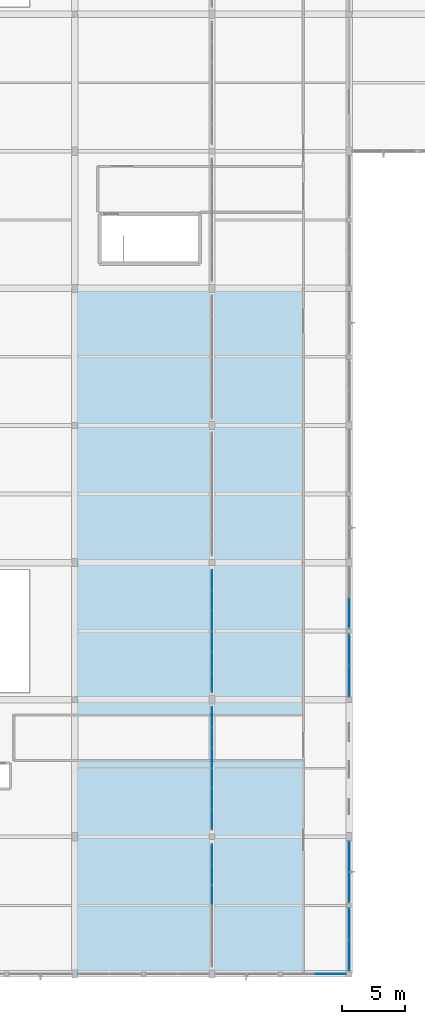
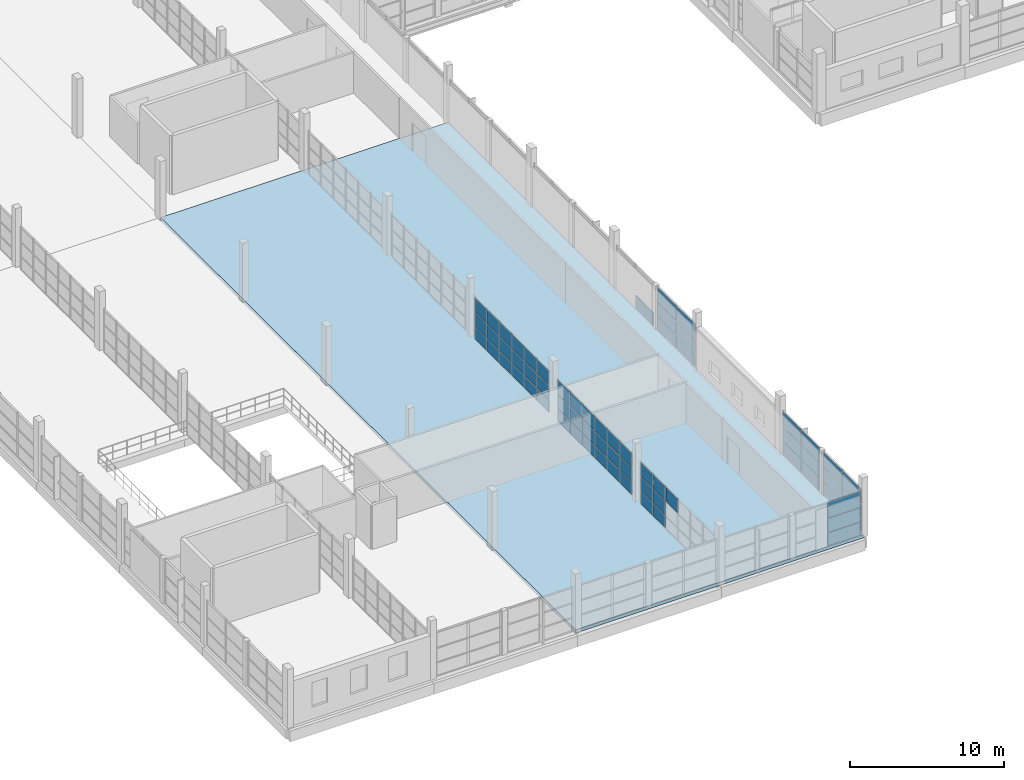
# One storey, part 82 of 142: 65 plates, 1 slab, 8 elements without a shape of their own.
"""IFC4 building model written with IfcOpenShell, lengths in metres."""

from ifc_helpers import new_model, si_unit, direction, frame, origin, origin_2d, place, context, subcontext, project, spatial, polyline, rectangle, outline, extrude, material, layer, layer_set, type_object, element, aggregate, save


model = new_model("IFC4")

# Units and contexts
model_context = context("Model", 3, precision=1e-05, world=origin(), true_north=direction((0.0, 1.0)))
body_context = subcontext(model_context, "Body", "Model", "MODEL_VIEW")
ifc_project = project(units=[si_unit("LENGTHUNIT", "METRE"), si_unit("AREAUNIT", "SQUARE_METRE"), si_unit("VOLUMEUNIT", "CUBIC_METRE"), si_unit("PLANEANGLEUNIT", "RADIAN"), si_unit("MASSUNIT", "GRAM", prefix="KILO")], contexts=[model_context])

# Site, building, storey
site_placement = place(None, origin())
site = spatial("IfcSite", under=ifc_project, at=site_placement, CompositionType="ELEMENT")
building_placement = place(site_placement, origin())
building = spatial("IfcBuilding", under=site, at=building_placement, Name="Zwinboog Wholesale Market", CompositionType="ELEMENT")
storey_placement = place(building_placement, frame((0.0, 0.0, 5.39990234375)))
storey = spatial("IfcBuildingStorey", under=building, at=storey_placement, Name="L01", CompositionType="ELEMENT", Elevation=5.39990234375)

# Slab
ifc_material_1 = material(Name="Precast concrete C45/55", Category="concrete")
ifc_layer_1 = layer(ifc_material_1, 0.2548828125)
ifc_layer_set_1 = layer_set([ifc_layer_1], Name="Precast concrete C45/55")
slab_type = type_object("IfcSlabType", Name="SLT-FL-255", PredefinedType="FLOOR", material=ifc_layer_set_1)
slab_placement = place(storey_placement, frame((0.0, 0.0, -0.2548828125)))
element("IfcSlab", 1, at=slab_placement, inside=storey, type_object=slab_type, Name="SF-255 (SLB-L01-031)", PredefinedType="FLOOR", context=body_context, shape_type="SweptSolid", body=[
    extrude(outline(polyline([(21.60009765625, 0.0), (43.199951171875, 0.0), (43.199951171875, 54.0), (21.60009765625, 54.0), (21.60009765625, 0.0)])), origin(), (0.0, 0.0, 1.0), 0.2548828125),
])

# Curtain wall, plates
ifc_material_2 = material(Name="Aluminium thermally broken curtain wall", Category="aluminium")
curtain_wall_type_1 = type_object("IfcCurtainWallType", Name="CWT-GAL-16", PredefinedType="USERDEFINED", material=ifc_material_2)
curtain_wall_1_placement = place(storey_placement, origin())
curtain_wall_1 = element("IfcCurtainWall", 2, at=curtain_wall_1_placement, inside=storey, type_object=curtain_wall_type_1, Name="CW-04 (CW-L01-070)", ObjectType="UNITIZED_CURTAIN_WALL", PredefinedType="USERDEFINED")
ifc_material_3 = material(Name="Double low-e insulated glazing", Category="glass")
ifc_layer_2 = layer(ifc_material_3, 0.031982421875)
ifc_layer_set_2 = layer_set([ifc_layer_2], Name="Double low-e insulated glazing")
plate_type_1 = type_object("IfcPlateType", Name="CWP-IGU-32", PredefinedType="CURTAIN_PANEL", material=ifc_layer_set_2)
plate_1_placement = place(storey_placement, frame((41.719970703125, 0.0, 0.06005859375), z_axis=(0.0, 0.0, 1.0), x_axis=(1.0, 0.0, 0.0)))
plate_1 = element("IfcPlate", 3, at=plate_1_placement, type_object=plate_type_1, Name="CW-04 panel 2.1", PredefinedType="CURTAIN_PANEL", context=body_context, shape_type="SweptSolid", body=[
    extrude(rectangle(XDim=2.39990234375, YDim=0.031982421875, at=origin_2d()), origin(), (0.0, 0.0, 1.0), 1.010009765625),
])
plate_2_placement = place(storey_placement, frame((41.719970703125, 0.0, 1.1298828125), z_axis=(0.0, 0.0, 1.0), x_axis=(1.0, 0.0, 0.0)))
plate_2 = element("IfcPlate", 4, at=plate_2_placement, type_object=plate_type_1, Name="CW-04 panel 2.2", PredefinedType="CURTAIN_PANEL", context=body_context, shape_type="SweptSolid", body=[
    extrude(rectangle(XDim=2.39990234375, YDim=0.031982421875, at=origin_2d()), origin(), (0.0, 0.0, 1.0), 1.090087890625),
])
plate_3_placement = place(storey_placement, frame((41.719970703125, 0.0, 2.280029296875), z_axis=(0.0, 0.0, 1.0), x_axis=(1.0, 0.0, 0.0)))
plate_3 = element("IfcPlate", 5, at=plate_3_placement, type_object=plate_type_1, Name="CW-04 panel 2.3", PredefinedType="CURTAIN_PANEL", context=body_context, shape_type="SweptSolid", body=[
    extrude(rectangle(XDim=2.39990234375, YDim=0.031982421875, at=origin_2d()), origin(), (0.0, 0.0, 1.0), 1.18994140625),
])
aggregate(curtain_wall_1, [plate_1, plate_2, plate_3])

curtain_wall_type_2 = type_object("IfcCurtainWallType", Name="CWT-CAFE-22", PredefinedType="USERDEFINED", material=ifc_material_2)
curtain_wall_2_placement = place(storey_placement, origin())
curtain_wall_2 = element("IfcCurtainWall", 6, at=curtain_wall_2_placement, inside=storey, type_object=curtain_wall_type_2, Name="CW-05 (CW-L01-071)", ObjectType="STOREFRONT_GLAZING", PredefinedType="USERDEFINED")
plate_4_placement = place(storey_placement, frame((43.199951171875, 1.481201171875, 0.065185546875), z_axis=(0.0, 0.0, 1.0), x_axis=(0.0, 1.0, 0.0)))
plate_4 = element("IfcPlate", 7, at=plate_4_placement, type_object=plate_type_1, Name="CW-05 panel 1.1", PredefinedType="CURTAIN_PANEL", context=body_context, shape_type="SweptSolid", body=[
    extrude(rectangle(XDim=2.392578125, YDim=0.031982421875, at=origin_2d()), origin(), (0.0, 0.0, 1.0), 1.00244140625),
])
plate_5_placement = place(storey_placement, frame((43.199951171875, 1.481201171875, 1.132568359375), z_axis=(0.0, 0.0, 1.0), x_axis=(0.0, 1.0, 0.0)))
plate_5 = element("IfcPlate", 8, at=plate_5_placement, type_object=plate_type_1, Name="CW-05 panel 1.2", PredefinedType="CURTAIN_PANEL", context=body_context, shape_type="SweptSolid", body=[
    extrude(rectangle(XDim=2.392578125, YDim=0.031982421875, at=origin_2d()), origin(), (0.0, 0.0, 1.0), 1.0849609375),
])
plate_6_placement = place(storey_placement, frame((43.199951171875, 1.481201171875, 2.282470703125), z_axis=(0.0, 0.0, 1.0), x_axis=(0.0, 1.0, 0.0)))
plate_6 = element("IfcPlate", 9, at=plate_6_placement, type_object=plate_type_1, Name="CW-05 panel 1.3", PredefinedType="CURTAIN_PANEL", context=body_context, shape_type="SweptSolid", body=[
    extrude(rectangle(XDim=2.392578125, YDim=0.031982421875, at=origin_2d()), origin(), (0.0, 0.0, 1.0), 1.1826171875),
])
plate_7_placement = place(storey_placement, frame((43.199951171875, 3.938720703125, 0.065185546875), z_axis=(0.0, 0.0, 1.0), x_axis=(0.0, 1.0, 0.0)))
plate_7 = element("IfcPlate", 10, at=plate_7_placement, type_object=plate_type_1, Name="CW-05 panel 2.1", PredefinedType="CURTAIN_PANEL", context=body_context, shape_type="SweptSolid", body=[
    extrude(rectangle(XDim=2.392578125, YDim=0.031982421875, at=origin_2d()), origin(), (0.0, 0.0, 1.0), 1.00244140625),
])
plate_8_placement = place(storey_placement, frame((43.199951171875, 3.938720703125, 1.132568359375), z_axis=(0.0, 0.0, 1.0), x_axis=(0.0, 1.0, 0.0)))
plate_8 = element("IfcPlate", 11, at=plate_8_placement, type_object=plate_type_1, Name="CW-05 panel 2.2", PredefinedType="CURTAIN_PANEL", context=body_context, shape_type="SweptSolid", body=[
    extrude(rectangle(XDim=2.392578125, YDim=0.031982421875, at=origin_2d()), origin(), (0.0, 0.0, 1.0), 1.0849609375),
])
plate_9_placement = place(storey_placement, frame((43.199951171875, 3.938720703125, 2.282470703125), z_axis=(0.0, 0.0, 1.0), x_axis=(0.0, 1.0, 0.0)))
plate_9 = element("IfcPlate", 12, at=plate_9_placement, type_object=plate_type_1, Name="CW-05 panel 2.3", PredefinedType="CURTAIN_PANEL", context=body_context, shape_type="SweptSolid", body=[
    extrude(rectangle(XDim=2.392578125, YDim=0.031982421875, at=origin_2d()), origin(), (0.0, 0.0, 1.0), 1.1826171875),
])
aggregate(curtain_wall_2, [plate_4, plate_5, plate_6, plate_7, plate_8, plate_9])

curtain_wall_type_3 = type_object("IfcCurtainWallType", Name="CWT-OFF-15", PredefinedType="USERDEFINED", material=ifc_material_2)
curtain_wall_3_placement = place(storey_placement, origin())
curtain_wall_3 = element("IfcCurtainWall", 13, at=curtain_wall_3_placement, inside=storey, type_object=curtain_wall_type_3, Name="CW-06 (CW-L01-072)", ObjectType="UNITIZED_CURTAIN_WALL", PredefinedType="USERDEFINED")
plate_10_placement = place(storey_placement, frame((43.199951171875, 6.8349609375, 0.06005859375), z_axis=(0.0, 0.0, 1.0), x_axis=(0.0, 1.0, 0.0)))
plate_10 = element("IfcPlate", 14, at=plate_10_placement, type_object=plate_type_1, Name="CW-06 panel 1.1", PredefinedType="CURTAIN_PANEL", context=body_context, shape_type="SweptSolid", body=[
    extrude(rectangle(XDim=2.35009765625, YDim=0.031982421875, at=origin_2d()), origin(), (0.0, 0.0, 1.0), 1.010009765625),
])
plate_11_placement = place(storey_placement, frame((43.199951171875, 6.8349609375, 1.1298828125), z_axis=(0.0, 0.0, 1.0), x_axis=(0.0, 1.0, 0.0)))
plate_11 = element("IfcPlate", 15, at=plate_11_placement, type_object=plate_type_1, Name="CW-06 panel 1.2", PredefinedType="CURTAIN_PANEL", context=body_context, shape_type="SweptSolid", body=[
    extrude(rectangle(XDim=2.35009765625, YDim=0.031982421875, at=origin_2d()), origin(), (0.0, 0.0, 1.0), 1.090087890625),
])
plate_12_placement = place(storey_placement, frame((43.199951171875, 6.8349609375, 2.280029296875), z_axis=(0.0, 0.0, 1.0), x_axis=(0.0, 1.0, 0.0)))
plate_12 = element("IfcPlate", 16, at=plate_12_placement, type_object=plate_type_1, Name="CW-06 panel 1.3", PredefinedType="CURTAIN_PANEL", context=body_context, shape_type="SweptSolid", body=[
    extrude(rectangle(XDim=2.35009765625, YDim=0.031982421875, at=origin_2d()), origin(), (0.0, 0.0, 1.0), 1.18994140625),
])
plate_13_placement = place(storey_placement, frame((43.199951171875, 9.2451171875, 0.06005859375), z_axis=(0.0, 0.0, 1.0), x_axis=(0.0, 1.0, 0.0)))
plate_13 = element("IfcPlate", 17, at=plate_13_placement, type_object=plate_type_1, Name="CW-06 panel 2.1", PredefinedType="CURTAIN_PANEL", context=body_context, shape_type="SweptSolid", body=[
    extrude(rectangle(XDim=2.35009765625, YDim=0.031982421875, at=origin_2d()), origin(), (0.0, 0.0, 1.0), 1.010009765625),
])
plate_14_placement = place(storey_placement, frame((43.199951171875, 9.2451171875, 1.1298828125), z_axis=(0.0, 0.0, 1.0), x_axis=(0.0, 1.0, 0.0)))
plate_14 = element("IfcPlate", 18, at=plate_14_placement, type_object=plate_type_1, Name="CW-06 panel 2.2", PredefinedType="CURTAIN_PANEL", context=body_context, shape_type="SweptSolid", body=[
    extrude(rectangle(XDim=2.35009765625, YDim=0.031982421875, at=origin_2d()), origin(), (0.0, 0.0, 1.0), 1.090087890625),
])
plate_15_placement = place(storey_placement, frame((43.199951171875, 9.2451171875, 2.280029296875), z_axis=(0.0, 0.0, 1.0), x_axis=(0.0, 1.0, 0.0)))
plate_15 = element("IfcPlate", 19, at=plate_15_placement, type_object=plate_type_1, Name="CW-06 panel 2.3", PredefinedType="CURTAIN_PANEL", context=body_context, shape_type="SweptSolid", body=[
    extrude(rectangle(XDim=2.35009765625, YDim=0.031982421875, at=origin_2d()), origin(), (0.0, 0.0, 1.0), 1.18994140625),
])
aggregate(curtain_wall_3, [plate_10, plate_11, plate_12, plate_13, plate_14, plate_15])

curtain_wall_type_4 = type_object("IfcCurtainWallType", Name="CWT-STALL-18", PredefinedType="USERDEFINED", material=ifc_material_2)
curtain_wall_4_placement = place(storey_placement, origin())
curtain_wall_4 = element("IfcCurtainWall", 20, at=curtain_wall_4_placement, inside=storey, type_object=curtain_wall_type_4, Name="CW-01 (CW-L01-073)", ObjectType="STOREFRONT_GLAZING", PredefinedType="USERDEFINED")
plate_16_placement = place(storey_placement, frame((43.199951171875, 23.081298828125, 0.065185546875), z_axis=(0.0, 0.0, 1.0), x_axis=(0.0, 1.0, 0.0)))
plate_16 = element("IfcPlate", 21, at=plate_16_placement, type_object=plate_type_1, Name="CW-01 panel 1.1", PredefinedType="CURTAIN_PANEL", context=body_context, shape_type="SweptSolid", body=[
    extrude(rectangle(XDim=2.392578125, YDim=0.031982421875, at=origin_2d()), origin(), (0.0, 0.0, 1.0), 1.00244140625),
])
plate_17_placement = place(storey_placement, frame((43.199951171875, 23.081298828125, 1.132568359375), z_axis=(0.0, 0.0, 1.0), x_axis=(0.0, 1.0, 0.0)))
plate_17 = element("IfcPlate", 22, at=plate_17_placement, type_object=plate_type_1, Name="CW-01 panel 1.2", PredefinedType="CURTAIN_PANEL", context=body_context, shape_type="SweptSolid", body=[
    extrude(rectangle(XDim=2.392578125, YDim=0.031982421875, at=origin_2d()), origin(), (0.0, 0.0, 1.0), 1.0849609375),
])
plate_18_placement = place(storey_placement, frame((43.199951171875, 23.081298828125, 2.282470703125), z_axis=(0.0, 0.0, 1.0), x_axis=(0.0, 1.0, 0.0)))
plate_18 = element("IfcPlate", 23, at=plate_18_placement, type_object=plate_type_1, Name="CW-01 panel 1.3", PredefinedType="CURTAIN_PANEL", context=body_context, shape_type="SweptSolid", body=[
    extrude(rectangle(XDim=2.392578125, YDim=0.031982421875, at=origin_2d()), origin(), (0.0, 0.0, 1.0), 1.1826171875),
])
plate_19_placement = place(storey_placement, frame((43.199951171875, 25.538818359375, 0.065185546875), z_axis=(0.0, 0.0, 1.0), x_axis=(0.0, 1.0, 0.0)))
plate_19 = element("IfcPlate", 24, at=plate_19_placement, type_object=plate_type_1, Name="CW-01 panel 2.1", PredefinedType="CURTAIN_PANEL", context=body_context, shape_type="SweptSolid", body=[
    extrude(rectangle(XDim=2.392578125, YDim=0.031982421875, at=origin_2d()), origin(), (0.0, 0.0, 1.0), 1.00244140625),
])
plate_20_placement = place(storey_placement, frame((43.199951171875, 25.538818359375, 1.132568359375), z_axis=(0.0, 0.0, 1.0), x_axis=(0.0, 1.0, 0.0)))
plate_20 = element("IfcPlate", 25, at=plate_20_placement, type_object=plate_type_1, Name="CW-01 panel 2.2", PredefinedType="CURTAIN_PANEL", context=body_context, shape_type="SweptSolid", body=[
    extrude(rectangle(XDim=2.392578125, YDim=0.031982421875, at=origin_2d()), origin(), (0.0, 0.0, 1.0), 1.0849609375),
])
plate_21_placement = place(storey_placement, frame((43.199951171875, 25.538818359375, 2.282470703125), z_axis=(0.0, 0.0, 1.0), x_axis=(0.0, 1.0, 0.0)))
plate_21 = element("IfcPlate", 26, at=plate_21_placement, type_object=plate_type_1, Name="CW-01 panel 2.3", PredefinedType="CURTAIN_PANEL", context=body_context, shape_type="SweptSolid", body=[
    extrude(rectangle(XDim=2.392578125, YDim=0.031982421875, at=origin_2d()), origin(), (0.0, 0.0, 1.0), 1.1826171875),
])
aggregate(curtain_wall_4, [plate_16, plate_17, plate_18, plate_19, plate_20, plate_21])

# Curtain wall, plate
curtain_wall_type_5 = type_object("IfcCurtainWallType", Name="CWT-STALL-20", PredefinedType="USERDEFINED", material=ifc_material_2)
curtain_wall_5_placement = place(storey_placement, origin())
curtain_wall_5 = element("IfcCurtainWall", 27, at=curtain_wall_5_placement, inside=storey, type_object=curtain_wall_type_5, Name="CW-02 (CW-L01-074)", ObjectType="STOREFRONT_GLAZING", PredefinedType="USERDEFINED")
plate_22_placement = place(storey_placement, frame((43.199951171875, 28.43505859375, 0.06005859375), z_axis=(0.0, 0.0, 1.0), x_axis=(0.0, 1.0, 0.0)))
plate_22 = element("IfcPlate", 28, at=plate_22_placement, type_object=plate_type_1, Name="CW-02 panel 1.1", PredefinedType="CURTAIN_PANEL", context=body_context, shape_type="SweptSolid", body=[
    extrude(rectangle(XDim=2.35009765625, YDim=0.031982421875, at=origin_2d()), origin(), (0.0, 0.0, 1.0), 1.010009765625),
])
aggregate(curtain_wall_5, [plate_22])

# Curtain wall, plates
curtain_wall_type_6 = type_object("IfcCurtainWallType", Name="CWT-INT-STALL", PredefinedType="USERDEFINED", material=ifc_material_2)
curtain_wall_6_placement = place(storey_placement, origin())
curtain_wall_6 = element("IfcCurtainWall", 29, at=curtain_wall_6_placement, inside=storey, type_object=curtain_wall_type_6, Name="CW-07 (CW-STL-263)", ObjectType="STOREFRONT_GLAZING", PredefinedType="USERDEFINED")
ifc_material_4 = material(Name="Tempered laminated market stall glazing", Category="glass")
ifc_layer_3 = layer(ifc_material_4, 0.01611328125)
ifc_layer_set_3 = layer_set([ifc_layer_3], Name="Tempered laminated market stall glazing")
plate_type_2 = type_object("IfcPlateType", Name="CWP-INT-16", PredefinedType="CURTAIN_PANEL", material=ifc_layer_set_3)
plate_23_placement = place(storey_placement, frame((32.39990234375, 6.208251953125, 2.22998046875), z_axis=(0.0, 0.0, 1.0), x_axis=(0.0, 1.0, 0.0)))
plate_23 = element("IfcPlate", 30, at=plate_23_placement, type_object=plate_type_2, Name="CW-07 panel 4.3", PredefinedType="CURTAIN_PANEL", context=body_context, shape_type="SweptSolid", body=[
    extrude(rectangle(XDim=1.556640625, YDim=0.01611328125, at=origin_2d()), origin(), (0.0, 0.0, 1.0), 1.110107421875),
])
plate_24_placement = place(storey_placement, frame((32.39990234375, 7.824951171875, 0.06005859375), z_axis=(0.0, 0.0, 1.0), x_axis=(0.0, 1.0, 0.0)))
plate_24 = element("IfcPlate", 31, at=plate_24_placement, type_object=plate_type_2, Name="CW-07 panel 5.1", PredefinedType="CURTAIN_PANEL", context=body_context, shape_type="SweptSolid", body=[
    extrude(rectangle(XDim=1.556640625, YDim=0.01611328125, at=origin_2d()), origin(), (0.0, 0.0, 1.0), 0.9599609375),
])
plate_25_placement = place(storey_placement, frame((32.39990234375, 7.824951171875, 1.080078125), z_axis=(0.0, 0.0, 1.0), x_axis=(0.0, 1.0, 0.0)))
plate_25 = element("IfcPlate", 32, at=plate_25_placement, type_object=plate_type_2, Name="CW-07 panel 5.2", PredefinedType="CURTAIN_PANEL", context=body_context, shape_type="SweptSolid", body=[
    extrude(rectangle(XDim=1.556640625, YDim=0.01611328125, at=origin_2d()), origin(), (0.0, 0.0, 1.0), 1.090087890625),
])
plate_26_placement = place(storey_placement, frame((32.39990234375, 7.824951171875, 2.22998046875), z_axis=(0.0, 0.0, 1.0), x_axis=(0.0, 1.0, 0.0)))
plate_26 = element("IfcPlate", 33, at=plate_26_placement, type_object=plate_type_2, Name="CW-07 panel 5.3", PredefinedType="CURTAIN_PANEL", context=body_context, shape_type="SweptSolid", body=[
    extrude(rectangle(XDim=1.556640625, YDim=0.01611328125, at=origin_2d()), origin(), (0.0, 0.0, 1.0), 1.110107421875),
])
plate_27_placement = place(storey_placement, frame((32.39990234375, 9.4267578125, 0.06005859375), z_axis=(0.0, 0.0, 1.0), x_axis=(0.0, 1.0, 0.0)))
plate_27 = element("IfcPlate", 34, at=plate_27_placement, type_object=plate_type_2, Name="CW-07 panel 6.1", PredefinedType="CURTAIN_PANEL", context=body_context, shape_type="SweptSolid", body=[
    extrude(rectangle(XDim=1.526611328125, YDim=0.01611328125, at=origin_2d()), origin(), (0.0, 0.0, 1.0), 0.9599609375),
])
plate_28_placement = place(storey_placement, frame((32.39990234375, 9.4267578125, 1.080078125), z_axis=(0.0, 0.0, 1.0), x_axis=(0.0, 1.0, 0.0)))
plate_28 = element("IfcPlate", 35, at=plate_28_placement, type_object=plate_type_2, Name="CW-07 panel 6.2", PredefinedType="CURTAIN_PANEL", context=body_context, shape_type="SweptSolid", body=[
    extrude(rectangle(XDim=1.526611328125, YDim=0.01611328125, at=origin_2d()), origin(), (0.0, 0.0, 1.0), 1.090087890625),
])
plate_29_placement = place(storey_placement, frame((32.39990234375, 9.4267578125, 2.22998046875), z_axis=(0.0, 0.0, 1.0), x_axis=(0.0, 1.0, 0.0)))
plate_29 = element("IfcPlate", 36, at=plate_29_placement, type_object=plate_type_2, Name="CW-07 panel 6.3", PredefinedType="CURTAIN_PANEL", context=body_context, shape_type="SweptSolid", body=[
    extrude(rectangle(XDim=1.526611328125, YDim=0.01611328125, at=origin_2d()), origin(), (0.0, 0.0, 1.0), 1.110107421875),
])
aggregate(curtain_wall_6, [plate_23, plate_24, plate_25, plate_26, plate_27, plate_28, plate_29])

curtain_wall_7_placement = place(storey_placement, origin())
curtain_wall_7 = element("IfcCurtainWall", 37, at=curtain_wall_7_placement, inside=storey, type_object=curtain_wall_type_6, Name="CW-07 (CW-STL-264)", ObjectType="STOREFRONT_GLAZING", PredefinedType="USERDEFINED")
plate_30_placement = place(storey_placement, frame((32.39990234375, 12.17333984375, 0.06005859375), z_axis=(0.0, 0.0, 1.0), x_axis=(0.0, 1.0, 0.0)))
plate_30 = element("IfcPlate", 38, at=plate_30_placement, type_object=plate_type_2, Name="CW-07 panel 1.1", PredefinedType="CURTAIN_PANEL", context=body_context, shape_type="SweptSolid", body=[
    extrude(rectangle(XDim=1.526611328125, YDim=0.01611328125, at=origin_2d()), origin(), (0.0, 0.0, 1.0), 0.9599609375),
])
plate_31_placement = place(storey_placement, frame((32.39990234375, 12.17333984375, 1.080078125), z_axis=(0.0, 0.0, 1.0), x_axis=(0.0, 1.0, 0.0)))
plate_31 = element("IfcPlate", 39, at=plate_31_placement, type_object=plate_type_2, Name="CW-07 panel 1.2", PredefinedType="CURTAIN_PANEL", context=body_context, shape_type="SweptSolid", body=[
    extrude(rectangle(XDim=1.526611328125, YDim=0.01611328125, at=origin_2d()), origin(), (0.0, 0.0, 1.0), 1.090087890625),
])
plate_32_placement = place(storey_placement, frame((32.39990234375, 12.17333984375, 2.22998046875), z_axis=(0.0, 0.0, 1.0), x_axis=(0.0, 1.0, 0.0)))
plate_32 = element("IfcPlate", 40, at=plate_32_placement, type_object=plate_type_2, Name="CW-07 panel 1.3", PredefinedType="CURTAIN_PANEL", context=body_context, shape_type="SweptSolid", body=[
    extrude(rectangle(XDim=1.526611328125, YDim=0.01611328125, at=origin_2d()), origin(), (0.0, 0.0, 1.0), 1.110107421875),
])
plate_33_placement = place(storey_placement, frame((32.39990234375, 13.77490234375, 0.06005859375), z_axis=(0.0, 0.0, 1.0), x_axis=(0.0, 1.0, 0.0)))
plate_33 = element("IfcPlate", 41, at=plate_33_placement, type_object=plate_type_2, Name="CW-07 panel 2.1", PredefinedType="CURTAIN_PANEL", context=body_context, shape_type="SweptSolid", body=[
    extrude(rectangle(XDim=1.556640625, YDim=0.01611328125, at=origin_2d()), origin(), (0.0, 0.0, 1.0), 0.9599609375),
])
plate_34_placement = place(storey_placement, frame((32.39990234375, 13.77490234375, 1.080078125), z_axis=(0.0, 0.0, 1.0), x_axis=(0.0, 1.0, 0.0)))
plate_34 = element("IfcPlate", 42, at=plate_34_placement, type_object=plate_type_2, Name="CW-07 panel 2.2", PredefinedType="CURTAIN_PANEL", context=body_context, shape_type="SweptSolid", body=[
    extrude(rectangle(XDim=1.556640625, YDim=0.01611328125, at=origin_2d()), origin(), (0.0, 0.0, 1.0), 1.090087890625),
])
plate_35_placement = place(storey_placement, frame((32.39990234375, 13.77490234375, 2.22998046875), z_axis=(0.0, 0.0, 1.0), x_axis=(0.0, 1.0, 0.0)))
plate_35 = element("IfcPlate", 43, at=plate_35_placement, type_object=plate_type_2, Name="CW-07 panel 2.3", PredefinedType="CURTAIN_PANEL", context=body_context, shape_type="SweptSolid", body=[
    extrude(rectangle(XDim=1.556640625, YDim=0.01611328125, at=origin_2d()), origin(), (0.0, 0.0, 1.0), 1.110107421875),
])
plate_36_placement = place(storey_placement, frame((32.39990234375, 15.3916015625, 0.06005859375), z_axis=(0.0, 0.0, 1.0), x_axis=(0.0, 1.0, 0.0)))
plate_36 = element("IfcPlate", 44, at=plate_36_placement, type_object=plate_type_2, Name="CW-07 panel 3.1", PredefinedType="CURTAIN_PANEL", context=body_context, shape_type="SweptSolid", body=[
    extrude(rectangle(XDim=1.556640625, YDim=0.01611328125, at=origin_2d()), origin(), (0.0, 0.0, 1.0), 0.9599609375),
])
plate_37_placement = place(storey_placement, frame((32.39990234375, 15.3916015625, 1.080078125), z_axis=(0.0, 0.0, 1.0), x_axis=(0.0, 1.0, 0.0)))
plate_37 = element("IfcPlate", 45, at=plate_37_placement, type_object=plate_type_2, Name="CW-07 panel 3.2", PredefinedType="CURTAIN_PANEL", context=body_context, shape_type="SweptSolid", body=[
    extrude(rectangle(XDim=1.556640625, YDim=0.01611328125, at=origin_2d()), origin(), (0.0, 0.0, 1.0), 1.090087890625),
])
plate_38_placement = place(storey_placement, frame((32.39990234375, 15.3916015625, 2.22998046875), z_axis=(0.0, 0.0, 1.0), x_axis=(0.0, 1.0, 0.0)))
plate_38 = element("IfcPlate", 46, at=plate_38_placement, type_object=plate_type_2, Name="CW-07 panel 3.3", PredefinedType="CURTAIN_PANEL", context=body_context, shape_type="SweptSolid", body=[
    extrude(rectangle(XDim=1.556640625, YDim=0.01611328125, at=origin_2d()), origin(), (0.0, 0.0, 1.0), 1.110107421875),
])
plate_39_placement = place(storey_placement, frame((32.39990234375, 17.00830078125, 0.06005859375), z_axis=(0.0, 0.0, 1.0), x_axis=(0.0, 1.0, 0.0)))
plate_39 = element("IfcPlate", 47, at=plate_39_placement, type_object=plate_type_2, Name="CW-07 panel 4.1", PredefinedType="CURTAIN_PANEL", context=body_context, shape_type="SweptSolid", body=[
    extrude(rectangle(XDim=1.556640625, YDim=0.01611328125, at=origin_2d()), origin(), (0.0, 0.0, 1.0), 0.9599609375),
])
plate_40_placement = place(storey_placement, frame((32.39990234375, 17.00830078125, 1.080078125), z_axis=(0.0, 0.0, 1.0), x_axis=(0.0, 1.0, 0.0)))
plate_40 = element("IfcPlate", 48, at=plate_40_placement, type_object=plate_type_2, Name="CW-07 panel 4.2", PredefinedType="CURTAIN_PANEL", context=body_context, shape_type="SweptSolid", body=[
    extrude(rectangle(XDim=1.556640625, YDim=0.01611328125, at=origin_2d()), origin(), (0.0, 0.0, 1.0), 1.090087890625),
])
plate_41_placement = place(storey_placement, frame((32.39990234375, 17.00830078125, 2.22998046875), z_axis=(0.0, 0.0, 1.0), x_axis=(0.0, 1.0, 0.0)))
plate_41 = element("IfcPlate", 49, at=plate_41_placement, type_object=plate_type_2, Name="CW-07 panel 4.3", PredefinedType="CURTAIN_PANEL", context=body_context, shape_type="SweptSolid", body=[
    extrude(rectangle(XDim=1.556640625, YDim=0.01611328125, at=origin_2d()), origin(), (0.0, 0.0, 1.0), 1.110107421875),
])
plate_42_placement = place(storey_placement, frame((32.39990234375, 18.625, 0.06005859375), z_axis=(0.0, 0.0, 1.0), x_axis=(0.0, 1.0, 0.0)))
plate_42 = element("IfcPlate", 50, at=plate_42_placement, type_object=plate_type_2, Name="CW-07 panel 5.1", PredefinedType="CURTAIN_PANEL", context=body_context, shape_type="SweptSolid", body=[
    extrude(rectangle(XDim=1.556640625, YDim=0.01611328125, at=origin_2d()), origin(), (0.0, 0.0, 1.0), 0.9599609375),
])
plate_43_placement = place(storey_placement, frame((32.39990234375, 18.625, 1.080078125), z_axis=(0.0, 0.0, 1.0), x_axis=(0.0, 1.0, 0.0)))
plate_43 = element("IfcPlate", 51, at=plate_43_placement, type_object=plate_type_2, Name="CW-07 panel 5.2", PredefinedType="CURTAIN_PANEL", context=body_context, shape_type="SweptSolid", body=[
    extrude(rectangle(XDim=1.556640625, YDim=0.01611328125, at=origin_2d()), origin(), (0.0, 0.0, 1.0), 1.090087890625),
])
plate_44_placement = place(storey_placement, frame((32.39990234375, 18.625, 2.22998046875), z_axis=(0.0, 0.0, 1.0), x_axis=(0.0, 1.0, 0.0)))
plate_44 = element("IfcPlate", 52, at=plate_44_placement, type_object=plate_type_2, Name="CW-07 panel 5.3", PredefinedType="CURTAIN_PANEL", context=body_context, shape_type="SweptSolid", body=[
    extrude(rectangle(XDim=1.556640625, YDim=0.01611328125, at=origin_2d()), origin(), (0.0, 0.0, 1.0), 1.110107421875),
])
plate_45_placement = place(storey_placement, frame((32.39990234375, 20.2265625, 0.06005859375), z_axis=(0.0, 0.0, 1.0), x_axis=(0.0, 1.0, 0.0)))
plate_45 = element("IfcPlate", 53, at=plate_45_placement, type_object=plate_type_2, Name="CW-07 panel 6.1", PredefinedType="CURTAIN_PANEL", context=body_context, shape_type="SweptSolid", body=[
    extrude(rectangle(XDim=1.526611328125, YDim=0.01611328125, at=origin_2d()), origin(), (0.0, 0.0, 1.0), 0.9599609375),
])
plate_46_placement = place(storey_placement, frame((32.39990234375, 20.2265625, 1.080078125), z_axis=(0.0, 0.0, 1.0), x_axis=(0.0, 1.0, 0.0)))
plate_46 = element("IfcPlate", 54, at=plate_46_placement, type_object=plate_type_2, Name="CW-07 panel 6.2", PredefinedType="CURTAIN_PANEL", context=body_context, shape_type="SweptSolid", body=[
    extrude(rectangle(XDim=1.526611328125, YDim=0.01611328125, at=origin_2d()), origin(), (0.0, 0.0, 1.0), 1.090087890625),
])
plate_47_placement = place(storey_placement, frame((32.39990234375, 20.2265625, 2.22998046875), z_axis=(0.0, 0.0, 1.0), x_axis=(0.0, 1.0, 0.0)))
plate_47 = element("IfcPlate", 55, at=plate_47_placement, type_object=plate_type_2, Name="CW-07 panel 6.3", PredefinedType="CURTAIN_PANEL", context=body_context, shape_type="SweptSolid", body=[
    extrude(rectangle(XDim=1.526611328125, YDim=0.01611328125, at=origin_2d()), origin(), (0.0, 0.0, 1.0), 1.110107421875),
])
aggregate(curtain_wall_7, [plate_30, plate_31, plate_32, plate_33, plate_34, plate_35, plate_36, plate_37, plate_38, plate_39, plate_40, plate_41, plate_42, plate_43, plate_44, plate_45, plate_46, plate_47])

curtain_wall_8_placement = place(storey_placement, origin())
curtain_wall_8 = element("IfcCurtainWall", 56, at=curtain_wall_8_placement, inside=storey, type_object=curtain_wall_type_6, Name="CW-07 (CW-STL-265)", ObjectType="STOREFRONT_GLAZING", PredefinedType="USERDEFINED")
plate_48_placement = place(storey_placement, frame((32.39990234375, 22.973388671875, 0.06005859375), z_axis=(0.0, 0.0, 1.0), x_axis=(0.0, 1.0, 0.0)))
plate_48 = element("IfcPlate", 57, at=plate_48_placement, type_object=plate_type_2, Name="CW-07 panel 1.1", PredefinedType="CURTAIN_PANEL", context=body_context, shape_type="SweptSolid", body=[
    extrude(rectangle(XDim=1.526611328125, YDim=0.01611328125, at=origin_2d()), origin(), (0.0, 0.0, 1.0), 0.9599609375),
])
plate_49_placement = place(storey_placement, frame((32.39990234375, 22.973388671875, 1.080078125), z_axis=(0.0, 0.0, 1.0), x_axis=(0.0, 1.0, 0.0)))
plate_49 = element("IfcPlate", 58, at=plate_49_placement, type_object=plate_type_2, Name="CW-07 panel 1.2", PredefinedType="CURTAIN_PANEL", context=body_context, shape_type="SweptSolid", body=[
    extrude(rectangle(XDim=1.526611328125, YDim=0.01611328125, at=origin_2d()), origin(), (0.0, 0.0, 1.0), 1.090087890625),
])
plate_50_placement = place(storey_placement, frame((32.39990234375, 22.973388671875, 2.22998046875), z_axis=(0.0, 0.0, 1.0), x_axis=(0.0, 1.0, 0.0)))
plate_50 = element("IfcPlate", 59, at=plate_50_placement, type_object=plate_type_2, Name="CW-07 panel 1.3", PredefinedType="CURTAIN_PANEL", context=body_context, shape_type="SweptSolid", body=[
    extrude(rectangle(XDim=1.526611328125, YDim=0.01611328125, at=origin_2d()), origin(), (0.0, 0.0, 1.0), 1.110107421875),
])
plate_51_placement = place(storey_placement, frame((32.39990234375, 24.574951171875, 0.06005859375), z_axis=(0.0, 0.0, 1.0), x_axis=(0.0, 1.0, 0.0)))
plate_51 = element("IfcPlate", 60, at=plate_51_placement, type_object=plate_type_2, Name="CW-07 panel 2.1", PredefinedType="CURTAIN_PANEL", context=body_context, shape_type="SweptSolid", body=[
    extrude(rectangle(XDim=1.556640625, YDim=0.01611328125, at=origin_2d()), origin(), (0.0, 0.0, 1.0), 0.9599609375),
])
plate_52_placement = place(storey_placement, frame((32.39990234375, 24.574951171875, 1.080078125), z_axis=(0.0, 0.0, 1.0), x_axis=(0.0, 1.0, 0.0)))
plate_52 = element("IfcPlate", 61, at=plate_52_placement, type_object=plate_type_2, Name="CW-07 panel 2.2", PredefinedType="CURTAIN_PANEL", context=body_context, shape_type="SweptSolid", body=[
    extrude(rectangle(XDim=1.556640625, YDim=0.01611328125, at=origin_2d()), origin(), (0.0, 0.0, 1.0), 1.090087890625),
])
plate_53_placement = place(storey_placement, frame((32.39990234375, 24.574951171875, 2.22998046875), z_axis=(0.0, 0.0, 1.0), x_axis=(0.0, 1.0, 0.0)))
plate_53 = element("IfcPlate", 62, at=plate_53_placement, type_object=plate_type_2, Name="CW-07 panel 2.3", PredefinedType="CURTAIN_PANEL", context=body_context, shape_type="SweptSolid", body=[
    extrude(rectangle(XDim=1.556640625, YDim=0.01611328125, at=origin_2d()), origin(), (0.0, 0.0, 1.0), 1.110107421875),
])
plate_54_placement = place(storey_placement, frame((32.39990234375, 26.191650390625, 0.06005859375), z_axis=(0.0, 0.0, 1.0), x_axis=(0.0, 1.0, 0.0)))
plate_54 = element("IfcPlate", 63, at=plate_54_placement, type_object=plate_type_2, Name="CW-07 panel 3.1", PredefinedType="CURTAIN_PANEL", context=body_context, shape_type="SweptSolid", body=[
    extrude(rectangle(XDim=1.556640625, YDim=0.01611328125, at=origin_2d()), origin(), (0.0, 0.0, 1.0), 0.9599609375),
])
plate_55_placement = place(storey_placement, frame((32.39990234375, 26.191650390625, 1.080078125), z_axis=(0.0, 0.0, 1.0), x_axis=(0.0, 1.0, 0.0)))
plate_55 = element("IfcPlate", 64, at=plate_55_placement, type_object=plate_type_2, Name="CW-07 panel 3.2", PredefinedType="CURTAIN_PANEL", context=body_context, shape_type="SweptSolid", body=[
    extrude(rectangle(XDim=1.556640625, YDim=0.01611328125, at=origin_2d()), origin(), (0.0, 0.0, 1.0), 1.090087890625),
])
plate_56_placement = place(storey_placement, frame((32.39990234375, 26.191650390625, 2.22998046875), z_axis=(0.0, 0.0, 1.0), x_axis=(0.0, 1.0, 0.0)))
plate_56 = element("IfcPlate", 65, at=plate_56_placement, type_object=plate_type_2, Name="CW-07 panel 3.3", PredefinedType="CURTAIN_PANEL", context=body_context, shape_type="SweptSolid", body=[
    extrude(rectangle(XDim=1.556640625, YDim=0.01611328125, at=origin_2d()), origin(), (0.0, 0.0, 1.0), 1.110107421875),
])
plate_57_placement = place(storey_placement, frame((32.39990234375, 27.808349609375, 0.06005859375), z_axis=(0.0, 0.0, 1.0), x_axis=(0.0, 1.0, 0.0)))
plate_57 = element("IfcPlate", 66, at=plate_57_placement, type_object=plate_type_2, Name="CW-07 panel 4.1", PredefinedType="CURTAIN_PANEL", context=body_context, shape_type="SweptSolid", body=[
    extrude(rectangle(XDim=1.556640625, YDim=0.01611328125, at=origin_2d()), origin(), (0.0, 0.0, 1.0), 0.9599609375),
])
plate_58_placement = place(storey_placement, frame((32.39990234375, 27.808349609375, 1.080078125), z_axis=(0.0, 0.0, 1.0), x_axis=(0.0, 1.0, 0.0)))
plate_58 = element("IfcPlate", 67, at=plate_58_placement, type_object=plate_type_2, Name="CW-07 panel 4.2", PredefinedType="CURTAIN_PANEL", context=body_context, shape_type="SweptSolid", body=[
    extrude(rectangle(XDim=1.556640625, YDim=0.01611328125, at=origin_2d()), origin(), (0.0, 0.0, 1.0), 1.090087890625),
])
plate_59_placement = place(storey_placement, frame((32.39990234375, 27.808349609375, 2.22998046875), z_axis=(0.0, 0.0, 1.0), x_axis=(0.0, 1.0, 0.0)))
plate_59 = element("IfcPlate", 68, at=plate_59_placement, type_object=plate_type_2, Name="CW-07 panel 4.3", PredefinedType="CURTAIN_PANEL", context=body_context, shape_type="SweptSolid", body=[
    extrude(rectangle(XDim=1.556640625, YDim=0.01611328125, at=origin_2d()), origin(), (0.0, 0.0, 1.0), 1.110107421875),
])
plate_60_placement = place(storey_placement, frame((32.39990234375, 29.425048828125, 0.06005859375), z_axis=(0.0, 0.0, 1.0), x_axis=(0.0, 1.0, 0.0)))
plate_60 = element("IfcPlate", 69, at=plate_60_placement, type_object=plate_type_2, Name="CW-07 panel 5.1", PredefinedType="CURTAIN_PANEL", context=body_context, shape_type="SweptSolid", body=[
    extrude(rectangle(XDim=1.556640625, YDim=0.01611328125, at=origin_2d()), origin(), (0.0, 0.0, 1.0), 0.9599609375),
])
plate_61_placement = place(storey_placement, frame((32.39990234375, 29.425048828125, 1.080078125), z_axis=(0.0, 0.0, 1.0), x_axis=(0.0, 1.0, 0.0)))
plate_61 = element("IfcPlate", 70, at=plate_61_placement, type_object=plate_type_2, Name="CW-07 panel 5.2", PredefinedType="CURTAIN_PANEL", context=body_context, shape_type="SweptSolid", body=[
    extrude(rectangle(XDim=1.556640625, YDim=0.01611328125, at=origin_2d()), origin(), (0.0, 0.0, 1.0), 1.090087890625),
])
plate_62_placement = place(storey_placement, frame((32.39990234375, 29.425048828125, 2.22998046875), z_axis=(0.0, 0.0, 1.0), x_axis=(0.0, 1.0, 0.0)))
plate_62 = element("IfcPlate", 71, at=plate_62_placement, type_object=plate_type_2, Name="CW-07 panel 5.3", PredefinedType="CURTAIN_PANEL", context=body_context, shape_type="SweptSolid", body=[
    extrude(rectangle(XDim=1.556640625, YDim=0.01611328125, at=origin_2d()), origin(), (0.0, 0.0, 1.0), 1.110107421875),
])
plate_63_placement = place(storey_placement, frame((32.39990234375, 31.026611328125, 0.06005859375), z_axis=(0.0, 0.0, 1.0), x_axis=(0.0, 1.0, 0.0)))
plate_63 = element("IfcPlate", 72, at=plate_63_placement, type_object=plate_type_2, Name="CW-07 panel 6.1", PredefinedType="CURTAIN_PANEL", context=body_context, shape_type="SweptSolid", body=[
    extrude(rectangle(XDim=1.526611328125, YDim=0.01611328125, at=origin_2d()), origin(), (0.0, 0.0, 1.0), 0.9599609375),
])
plate_64_placement = place(storey_placement, frame((32.39990234375, 31.026611328125, 1.080078125), z_axis=(0.0, 0.0, 1.0), x_axis=(0.0, 1.0, 0.0)))
plate_64 = element("IfcPlate", 73, at=plate_64_placement, type_object=plate_type_2, Name="CW-07 panel 6.2", PredefinedType="CURTAIN_PANEL", context=body_context, shape_type="SweptSolid", body=[
    extrude(rectangle(XDim=1.526611328125, YDim=0.01611328125, at=origin_2d()), origin(), (0.0, 0.0, 1.0), 1.090087890625),
])
plate_65_placement = place(storey_placement, frame((32.39990234375, 31.026611328125, 2.22998046875), z_axis=(0.0, 0.0, 1.0), x_axis=(0.0, 1.0, 0.0)))
plate_65 = element("IfcPlate", 74, at=plate_65_placement, type_object=plate_type_2, Name="CW-07 panel 6.3", PredefinedType="CURTAIN_PANEL", context=body_context, shape_type="SweptSolid", body=[
    extrude(rectangle(XDim=1.526611328125, YDim=0.01611328125, at=origin_2d()), origin(), (0.0, 0.0, 1.0), 1.110107421875),
])
aggregate(curtain_wall_8, [plate_48, plate_49, plate_50, plate_51, plate_52, plate_53, plate_54, plate_55, plate_56, plate_57, plate_58, plate_59, plate_60, plate_61, plate_62, plate_63, plate_64, plate_65])

save(model, "model.ifc")
